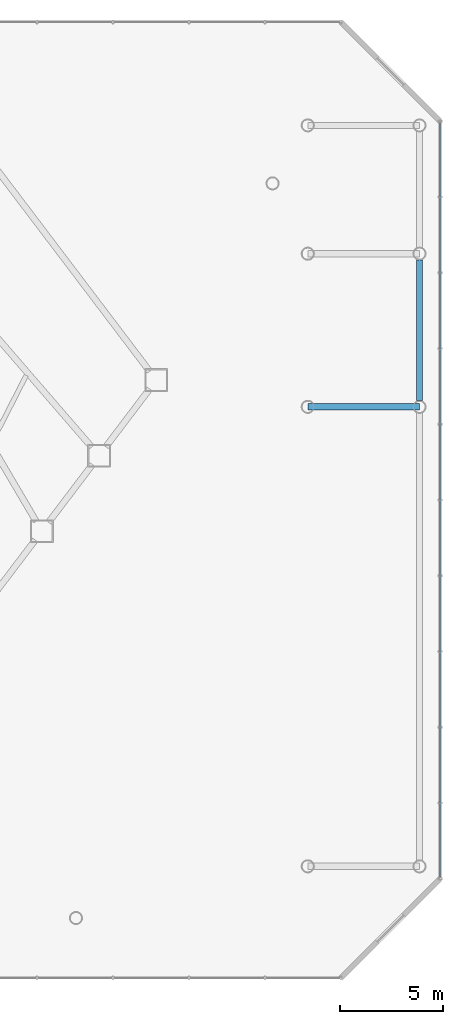
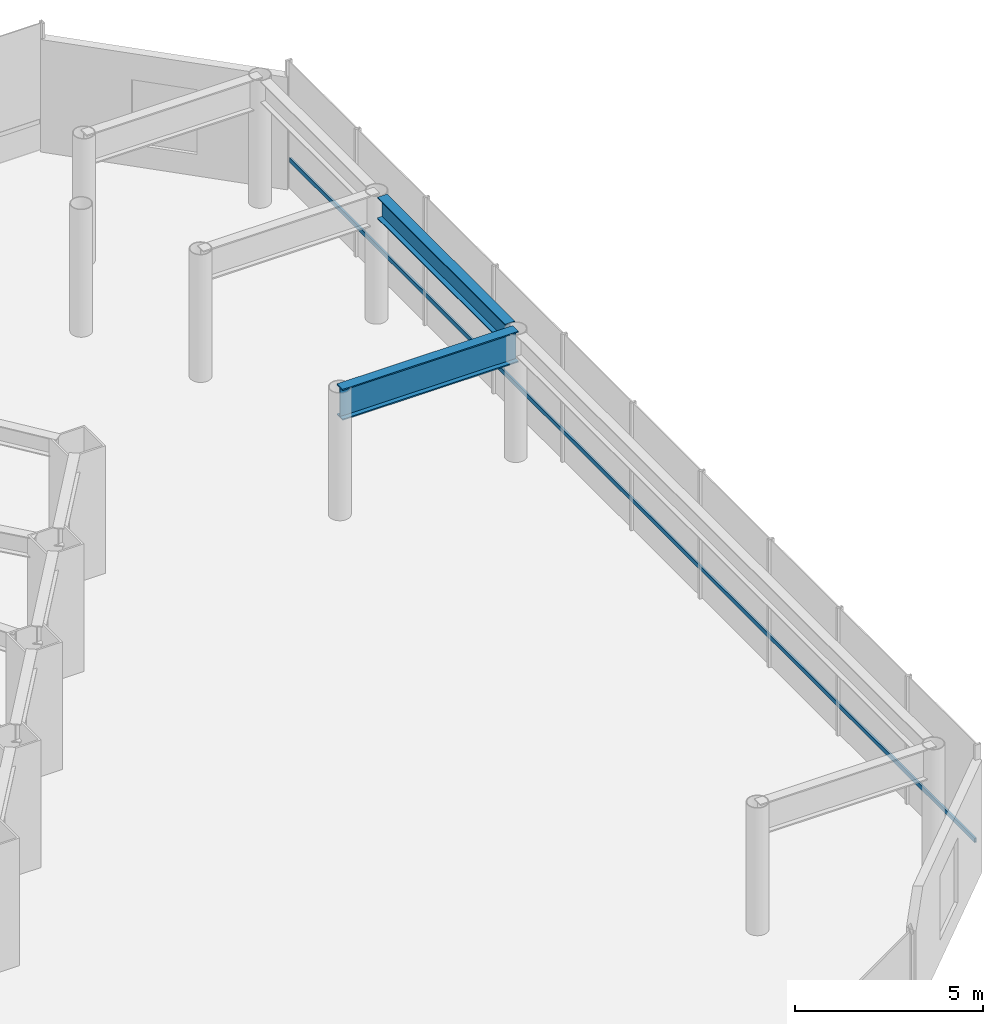
# One storey, part 29 of 37: 2 beams, 1 member, 1 element without a shape of its own.
"""IFC4 building model written with IfcOpenShell, lengths in metres."""

from ifc_helpers import new_model, si_unit, direction, frame, origin, origin_2d, place, context, subcontext, project, spatial, hollow_rectangle, i_section, extrude, material, layer, layer_set, material_profile, profile_set, type_object, element, aggregate, save


model = new_model("IFC4")

# Units and contexts
model_context = context("Model", 3, precision=1e-05, world=origin(), true_north=direction((0.0, 1.0)))
body_context = subcontext(model_context, "Body", "Model", "MODEL_VIEW")
ifc_project = project(units=[si_unit("LENGTHUNIT", "METRE"), si_unit("AREAUNIT", "SQUARE_METRE"), si_unit("VOLUMEUNIT", "CUBIC_METRE"), si_unit("PLANEANGLEUNIT", "RADIAN"), si_unit("MASSUNIT", "GRAM", prefix="KILO")], contexts=[model_context])

# Site, building, storey
site_placement = place(None, origin())
site = spatial("IfcSite", under=ifc_project, at=site_placement, CompositionType="ELEMENT")
building_placement = place(site_placement, origin())
building = spatial("IfcBuilding", under=site, at=building_placement, Name="Zarrinselat Tower", CompositionType="ELEMENT")
storey_placement = place(building_placement, frame((0.0, 0.0, 9.52001953125)))
storey = spatial("IfcBuildingStorey", under=building, at=storey_placement, Name="L02", CompositionType="ELEMENT", Elevation=9.52001953125)

# Beams
ifc_material_1 = material(Name="Steel S355J2", Category="steel")
ifc_material_profile_1 = material_profile(ifc_material_1, i_section(OverallWidth=0.300048828125, OverallDepth=0.699951171875, WebThickness=0.01708984375, FlangeThickness=0.031982421875, at=origin_2d()), Name="HEB 700")
ifc_profile_set_1 = profile_set([ifc_material_profile_1], Name="Steel S355J2")
beam_type_1 = type_object("IfcBeamType", Name="BM-HEB700", PredefinedType="SPANDREL", material=ifc_profile_set_1)
beam_1_placement = place(storey_placement, frame((73.39990234375, 33.5, 3.7900390625), z_axis=(0.0, 1.0, 0.0), x_axis=(-1.0, 0.0, 0.0)))
element("IfcBeam", 1, at=beam_1_placement, inside=storey, type_object=beam_type_1, Name="L02 Podium Perimeter Beam E-33", PredefinedType="SPANDREL", context=body_context, shape_type="SweptSolid", body=[
    extrude(i_section(OverallWidth=0.300048828125, OverallDepth=0.699951171875, WebThickness=0.01708984375, FlangeThickness=0.031982421875, at=origin_2d()), origin(), (0.0, 0.0, 1.0), 6.800048828125),
])
ifc_material_2 = material(Name="Steel S460M", Category="steel")
ifc_material_profile_2 = material_profile(ifc_material_2, i_section(OverallWidth=0.302001953125, OverallDepth=1.008056640625, WebThickness=0.02099609375, FlangeThickness=0.0400390625, at=origin_2d()), Name="HEM 1000")
ifc_profile_set_2 = profile_set([ifc_material_profile_2], Name="Steel S460M")
beam_type_2 = type_object("IfcBeamType", Name="BM-PDTR-HEM1000", PredefinedType="BEAM", material=ifc_profile_set_2)
beam_2_placement = place(storey_placement, frame((68.0, 33.199951171875, 3.635986328125), z_axis=(1.0, 0.0, 0.0), x_axis=(0.0, 1.0, 0.0)))
element("IfcBeam", 2, at=beam_2_placement, inside=storey, type_object=beam_type_2, Name="L02 Podium Transfer Girder E-33", PredefinedType="BEAM", context=body_context, shape_type="SweptSolid", body=[
    extrude(i_section(OverallWidth=0.302001953125, OverallDepth=1.008056640625, WebThickness=0.02099609375, FlangeThickness=0.0400390625, at=origin_2d()), origin(), (0.0, 0.0, 1.0), 5.39990234375),
])

# Curtain wall, member
ifc_material_3 = material(Name="Extruded Aluminium Alloy EN AW-6063 T6", Category="aluminium")
ifc_layer = layer(ifc_material_3, 0.2099609375)
ifc_layer_set = layer_set([ifc_layer], Name="Extruded Aluminium Alloy EN AW-6063 T6")
curtain_wall_type = type_object("IfcCurtainWallType", Name="CWS-POD", PredefinedType="NOTDEFINED", material=ifc_layer_set)
curtain_wall_placement = place(storey_placement, origin())
curtain_wall = element("IfcCurtainWall", 3, at=curtain_wall_placement, inside=storey, type_object=curtain_wall_type, Name="L02 Unitised Curtain Wall CW-L02-F3", PredefinedType="NOTDEFINED")
ifc_material_4 = material(Name="Extruded Aluminium Alloy EN AW-6063 T6", Category="aluminium")
ifc_material_profile_3 = material_profile(ifc_material_4, hollow_rectangle(XDim=0.06005859375, YDim=0.139892578125, WallThickness=0.00390625, at=origin_2d()), Name="RHS 140x60x4")
ifc_profile_set_3 = profile_set([ifc_material_profile_3], Name="Extruded Aluminium Alloy EN AW-6063 T6")
member_type = type_object("IfcMemberType", Name="MEM-CW-TRN", PredefinedType="USERDEFINED", material=ifc_profile_set_3)
member_placement = place(storey_placement, frame((74.39990234375, 10.489990234375, 0.949951171875), z_axis=(0.0, 1.0, 0.0), x_axis=(-1.0, 0.0, 0.0)))
member = element("IfcMember", 4, at=member_placement, type_object=member_type, Name="CW-L02-F3 Transom 1", ObjectType="TRANSOM", PredefinedType="USERDEFINED", context=body_context, shape_type="SweptSolid", body=[
    extrude(hollow_rectangle(XDim=0.06005859375, YDim=0.139892578125, WallThickness=0.00390625, at=origin_2d()), origin(), (0.0, 0.0, 1.0), 36.419921875),
])
aggregate(curtain_wall, [member])

save(model, "model.ifc")
